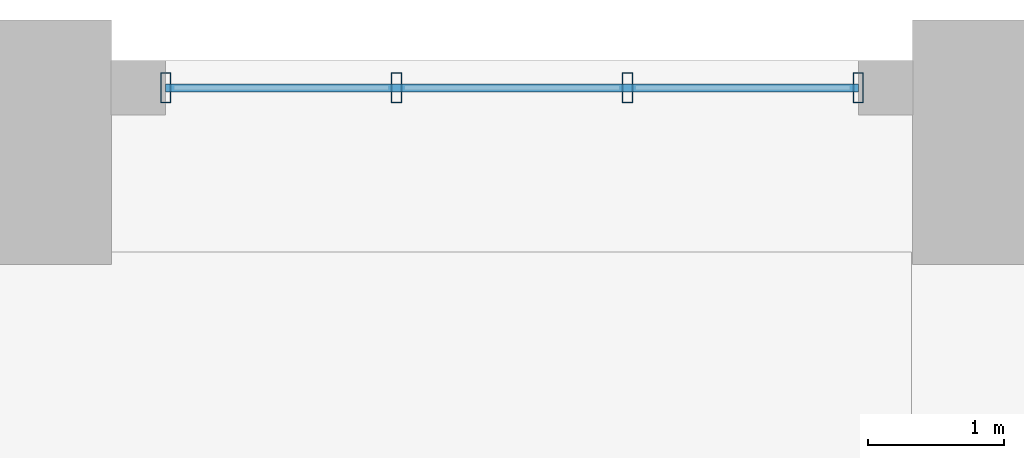
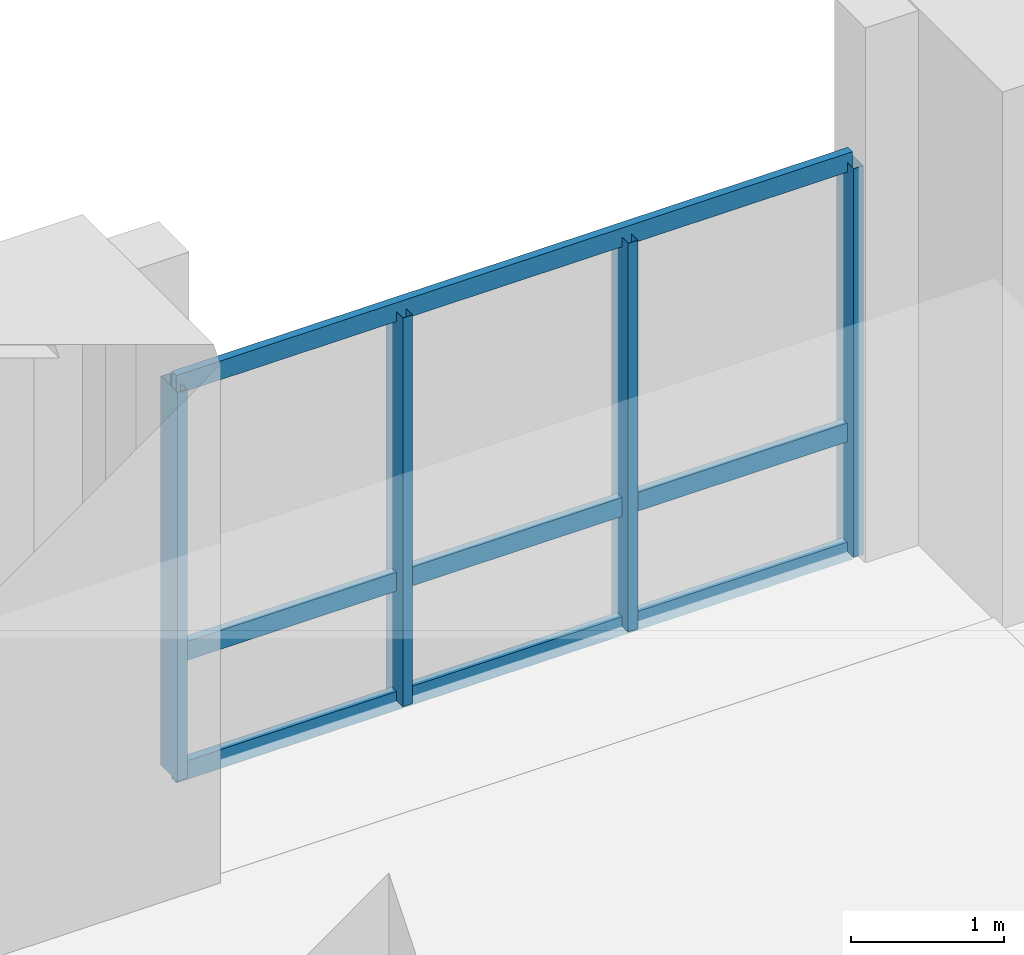
# One storey, part 2 of 12: 7 members, 1 element without a shape of its own.
"""IFC4 building model written with IfcOpenShell, lengths in metres."""

from ifc_helpers import new_model, si_unit, direction, frame, origin, origin_2d, place, context, subcontext, project, spatial, hollow_rectangle, extrude, source, transform, mapped, material, layer, layer_set, material_profile, profile_set, type_object, element, aggregate, save


model = new_model("IFC4")

# Units and contexts
model_context = context("Model", 3, precision=1e-05, world=origin(), true_north=direction((0.0, 1.0)))
body_context = subcontext(model_context, "Body", "Model", "MODEL_VIEW")
ifc_project = project(units=[si_unit("LENGTHUNIT", "METRE"), si_unit("AREAUNIT", "SQUARE_METRE"), si_unit("VOLUMEUNIT", "CUBIC_METRE"), si_unit("PLANEANGLEUNIT", "RADIAN"), si_unit("MASSUNIT", "GRAM", prefix="KILO")], contexts=[model_context])

# Site, building, storey
site_placement = place(None, origin())
site = spatial("IfcSite", under=ifc_project, at=site_placement, CompositionType="ELEMENT")
building_placement = place(site_placement, origin())
building = spatial("IfcBuilding", under=site, at=building_placement, Name="Kharzan Plaza Tower", CompositionType="ELEMENT")
storey_placement = place(building_placement, frame((0.0, 0.0, 18.0)))
storey = spatial("IfcBuildingStorey", under=building, at=storey_placement, Name="L04", CompositionType="ELEMENT", Elevation=18.0)

# Curtain wall, members
ifc_material_1 = material(Name="Unitised Bronze-Anodized Aluminium and Low-E Glass", Category="aluminium")
ifc_layer = layer(ifc_material_1, 0.199951171875)
ifc_layer_set = layer_set([ifc_layer], Name="Unitised Bronze-Anodized Aluminium and Low-E Glass")
curtain_wall_type = type_object("IfcCurtainWallType", Name="CW-PODIUM-1", PredefinedType="NOTDEFINED", material=ifc_layer_set)
curtain_wall_placement = place(storey_placement, origin())
curtain_wall = element("IfcCurtainWall", 1, at=curtain_wall_placement, inside=storey, type_object=curtain_wall_type, Name="L04 Podium North Gallery Curtain Wall", PredefinedType="NOTDEFINED")
ifc_material_2 = material(Name="Anodized Bronze Aluminium", Category="aluminium")
ifc_material_profile_1 = material_profile(ifc_material_2, hollow_rectangle(XDim=0.074951171875, YDim=0.219970703125, WallThickness=0.00390625, at=origin_2d()), Name="ALU-M220x75x4")
ifc_profile_set_1 = profile_set([ifc_material_profile_1], Name="Anodized Bronze Aluminium")
member_type_1 = type_object("IfcMemberType", Name="MEM-CW-MUL200", PredefinedType="MULLION", material=ifc_profile_set_1)
shared_shape_1 = source(origin(), body_context, "Body", "SweptSolid", [
    extrude(hollow_rectangle(XDim=0.074951171875, YDim=0.219970703125, WallThickness=0.00390625, at=origin_2d()), origin(), (0.0, 0.0, 1.0), 3.10009765625),
])
member_1_placement = place(storey_placement, frame((20.300048828125, 49.800048828125, 0.0), z_axis=(0.0, 0.0, 1.0), x_axis=(1.0, 0.0, 0.0)))
member_1 = element("IfcMember", 2, at=member_1_placement, type_object=member_type_1, Name="L04 Curtain-Wall Mullion 00", PredefinedType="MULLION", context=body_context, shape_type="MappedRepresentation", body=[
    mapped(shared_shape_1, transform((0.0, 0.0, 0.0), x_axis=(1.0, 0.0, 0.0), y_axis=(0.0, 1.0, 0.0), z_axis=(0.0, 0.0, 1.0))),
])
member_2_placement = place(storey_placement, frame((22.0, 49.800048828125, 0.0), z_axis=(0.0, 0.0, 1.0), x_axis=(1.0, 0.0, 0.0)))
member_2 = element("IfcMember", 3, at=member_2_placement, type_object=member_type_1, Name="L04 Curtain-Wall Mullion 01", PredefinedType="MULLION", context=body_context, shape_type="MappedRepresentation", body=[
    mapped(shared_shape_1, transform((0.0, 0.0, 0.0), x_axis=(1.0, 0.0, 0.0), y_axis=(0.0, 1.0, 0.0), z_axis=(0.0, 0.0, 1.0))),
])
member_3_placement = place(storey_placement, frame((23.699951171875, 49.800048828125, 0.0), z_axis=(0.0, 0.0, 1.0), x_axis=(1.0, 0.0, 0.0)))
member_3 = element("IfcMember", 4, at=member_3_placement, type_object=member_type_1, Name="L04 Curtain-Wall Mullion 02", PredefinedType="MULLION", context=body_context, shape_type="MappedRepresentation", body=[
    mapped(shared_shape_1, transform((0.0, 0.0, 0.0), x_axis=(1.0, 0.0, 0.0), y_axis=(0.0, 1.0, 0.0), z_axis=(0.0, 0.0, 1.0))),
])
member_4_placement = place(storey_placement, frame((25.39990234375, 49.800048828125, 0.0), z_axis=(0.0, 0.0, 1.0), x_axis=(1.0, 0.0, 0.0)))
member_4 = element("IfcMember", 5, at=member_4_placement, type_object=member_type_1, Name="L04 Curtain-Wall Mullion 03", PredefinedType="MULLION", context=body_context, shape_type="MappedRepresentation", body=[
    mapped(shared_shape_1, transform((0.0, 0.0, 0.0), x_axis=(1.0, 0.0, 0.0), y_axis=(0.0, 1.0, 0.0), z_axis=(0.0, 0.0, 1.0))),
])
ifc_material_profile_2 = material_profile(ifc_material_2, hollow_rectangle(XDim=0.06005859375, YDim=0.14990234375, WallThickness=0.00341796875, at=origin_2d()), Name="ALU-T150x60x3.5")
ifc_profile_set_2 = profile_set([ifc_material_profile_2], Name="Anodized Bronze Aluminium")
member_type_2 = type_object("IfcMemberType", Name="MEM-CW-TRN150", PredefinedType="USERDEFINED", material=ifc_profile_set_2)
shared_shape_2 = source(origin(), body_context, "Body", "SweptSolid", [
    extrude(hollow_rectangle(XDim=0.06005859375, YDim=0.14990234375, WallThickness=0.00341796875, at=origin_2d()), origin(), (0.0, 0.0, 1.0), 5.099853515625),
])
member_5_placement = place(storey_placement, frame((20.300048828125, 49.800048828125, 0.0), z_axis=(1.0, 0.0, 0.0), x_axis=(0.0, 1.0, 0.0)))
member_5 = element("IfcMember", 6, at=member_5_placement, type_object=member_type_2, Name="L04 Curtain-Wall Transom 1", ObjectType="TRANSOM", PredefinedType="USERDEFINED", context=body_context, shape_type="MappedRepresentation", body=[
    mapped(shared_shape_2, transform((0.0, 0.0, 0.0), x_axis=(1.0, 0.0, 0.0), y_axis=(0.0, 1.0, 0.0), z_axis=(0.0, 0.0, 1.0))),
])
member_6_placement = place(storey_placement, frame((20.300048828125, 49.800048828125, 0.949951171875), z_axis=(1.0, 0.0, 0.0), x_axis=(0.0, 1.0, 0.0)))
member_6 = element("IfcMember", 7, at=member_6_placement, type_object=member_type_2, Name="L04 Curtain-Wall Transom 2", ObjectType="TRANSOM", PredefinedType="USERDEFINED", context=body_context, shape_type="MappedRepresentation", body=[
    mapped(shared_shape_2, transform((0.0, 0.0, 0.0), x_axis=(1.0, 0.0, 0.0), y_axis=(0.0, 1.0, 0.0), z_axis=(0.0, 0.0, 1.0))),
])
member_7_placement = place(storey_placement, frame((20.300048828125, 49.800048828125, 3.10009765625), z_axis=(1.0, 0.0, 0.0), x_axis=(0.0, 1.0, 0.0)))
member_7 = element("IfcMember", 8, at=member_7_placement, type_object=member_type_2, Name="L04 Curtain-Wall Transom 3", ObjectType="TRANSOM", PredefinedType="USERDEFINED", context=body_context, shape_type="MappedRepresentation", body=[
    mapped(shared_shape_2, transform((0.0, 0.0, 0.0), x_axis=(1.0, 0.0, 0.0), y_axis=(0.0, 1.0, 0.0), z_axis=(0.0, 0.0, 1.0))),
])
aggregate(curtain_wall, [member_1, member_2, member_3, member_4, member_5, member_6, member_7])

save(model, "model.ifc")
